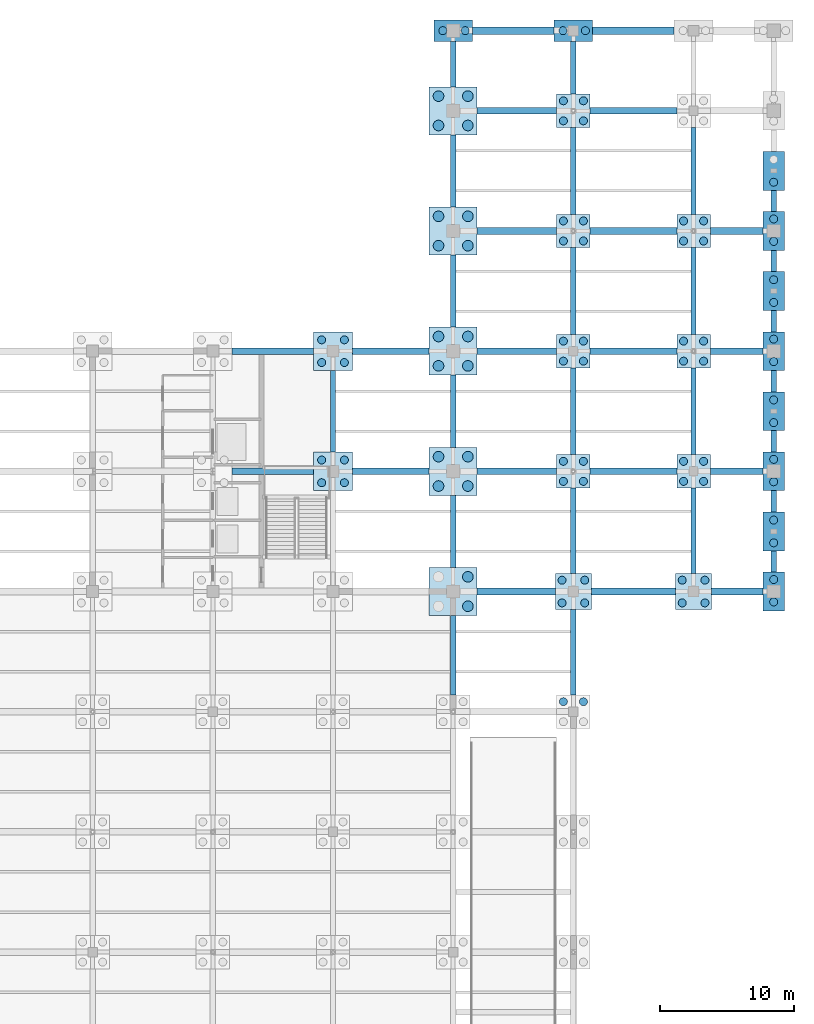
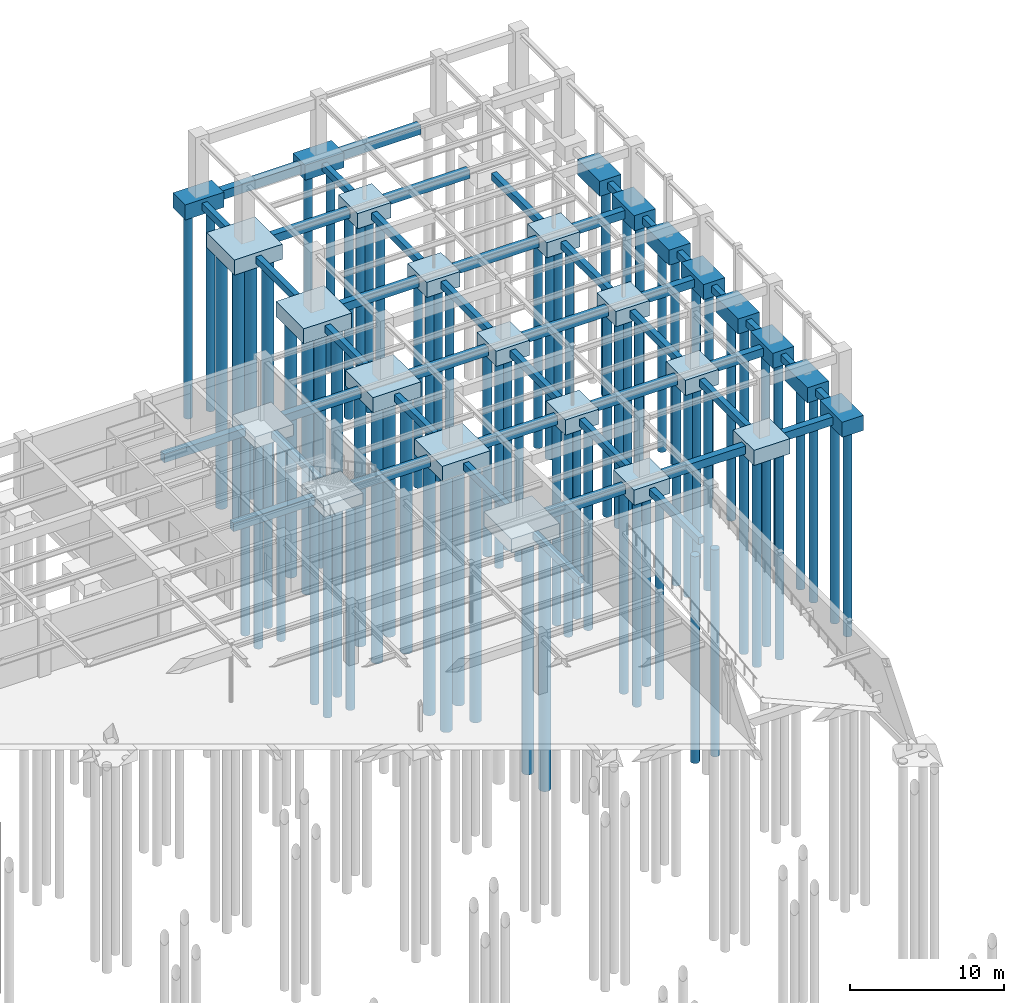
# One storey, part 8 of 49: 83 piles, 70 footings.
"""IFC4 building model written with IfcOpenShell, lengths in metres."""

from ifc_helpers import new_model, si_unit, direction, frame, origin, origin_2d, place, context, subcontext, project, spatial, rectangle, circle, extrude, material, material_profile, profile_set, type_object, element, save


model = new_model("IFC4")

# Units and contexts
model_context = context("Model", 3, precision=1e-05, world=origin(), true_north=direction((0.0, 1.0)))
body_context = subcontext(model_context, "Body", "Model", "MODEL_VIEW")
ifc_project = project(units=[si_unit("LENGTHUNIT", "METRE"), si_unit("AREAUNIT", "SQUARE_METRE"), si_unit("VOLUMEUNIT", "CUBIC_METRE"), si_unit("PLANEANGLEUNIT", "RADIAN"), si_unit("MASSUNIT", "GRAM", prefix="KILO")], contexts=[model_context])

# Site, building, storey
site_placement = place(None, origin())
site = spatial("IfcSite", under=ifc_project, at=site_placement, CompositionType="ELEMENT")
building_placement = place(site_placement, origin())
building = spatial("IfcBuilding", under=site, at=building_placement, Name="Lykobir Media Centre", CompositionType="ELEMENT")
storey_placement = place(building_placement, frame((0.0, 0.0, -4.800048828125)))
storey = spatial("IfcBuildingStorey", under=building, at=storey_placement, Name="B1", CompositionType="ELEMENT", Elevation=-4.800048828125)

# Piles
ifc_material_1 = material(Name="Concrete C30/37", Category="concrete")
ifc_material_profile_1 = material_profile(ifc_material_1, circle(Radius=0.300048828125, at=origin_2d()), Name="BORED PILE D600")
ifc_profile_set_1 = profile_set([ifc_material_profile_1], Name="Concrete C30/37")
pile_type_1 = type_object("IfcPileType", Name="BP-600", PredefinedType="BORED", material=ifc_profile_set_1)
for number, where, z_axis, x_axis, name in (
    (1, (134.14990234375, 80.14990234375, -1.099853515625), (0.0, 0.0, -1.0), (1.0, 0.0, 0.0), "Bored pile PILE-1342-0802-1"),
    (2, (135.85009765625, 80.14990234375, -1.099853515625), (0.0, 0.0, -1.0), (1.0, 0.0, 0.0), "Bored pile PILE-1358-0802-2"),
    (3, (134.14990234375, 81.85009765625, -1.099853515625), (0.0, 0.0, -1.0), (1.0, 0.0, 0.0), "Bored pile PILE-1342-0818-3"),
    (4, (135.85009765625, 81.85009765625, -1.099853515625), (0.0, 0.0, -1.0), (1.0, 0.0, 0.0), "Bored pile PILE-1358-0818-4"),
    (5, (134.14990234375, 89.14990234375, -1.099853515625), (0.0, 0.0, -1.0), (1.0, 0.0, 0.0), "Bored pile PILE-1342-0892-1"),
    (6, (135.85009765625, 89.14990234375, -1.099853515625), (0.0, 0.0, -1.0), (1.0, 0.0, 0.0), "Bored pile PILE-1358-0892-2"),
    (7, (134.14990234375, 90.85009765625, -1.099853515625), (0.0, 0.0, -1.0), (1.0, 0.0, 0.0), "Bored pile PILE-1342-0908-3"),
    (8, (135.85009765625, 90.85009765625, -1.099853515625), (0.0, 0.0, -1.0), (1.0, 0.0, 0.0), "Bored pile PILE-1358-0908-4"),
    (9, (143.219970703125, 114.0, -1.099853515625), (0.0, 0.0, -1.0), (1.0, 0.0, 0.0), "Bored pile PILE-1432-1140-1"),
    (10, (144.89990234375, 114.0, -1.099853515625), (0.0, 0.0, -1.0), (1.0, 0.0, 0.0), "Bored pile PILE-1449-1140-2"),
    (11, (152.25, 63.75, -1.099853515625), (0.0, 0.0, -1.0), (1.0, 0.0, 0.0), "Bored pile PILE-1522-0638-3"),
    (12, (153.75, 63.75, -1.099853515625), (0.0, 0.0, -1.0), (1.0, 0.0, 0.0), "Bored pile PILE-1538-0638-4"),
    (13, (152.14990234375, 71.14990234375, -1.099853515625), (0.0, 0.0, -1.0), (1.0, 0.0, 0.0), "Bored pile PILE-1522-0712-1"),
    (14, (153.85009765625, 71.14990234375, -1.099853515625), (0.0, 0.0, -1.0), (1.0, 0.0, 0.0), "Bored pile PILE-1538-0712-2"),
    (15, (152.14990234375, 72.85009765625, -1.099853515625), (0.0, 0.0, -1.0), (1.0, 0.0, 0.0), "Bored pile PILE-1522-0728-3"),
    (16, (153.85009765625, 72.85009765625, -1.099853515625), (0.0, 0.0, -1.0), (1.0, 0.0, 0.0), "Bored pile PILE-1538-0728-4"),
    (17, (152.25, 80.25, -1.099853515625), (0.0, 0.0, -1.0), (1.0, 0.0, 0.0), "Bored pile PILE-1522-0802-1"),
    (18, (153.75, 80.25, -1.099853515625), (0.0, 0.0, -1.0), (1.0, 0.0, 0.0), "Bored pile PILE-1538-0802-2"),
    (19, (152.25, 81.75, -1.099853515625), (0.0, 0.0, -1.0), (1.0, 0.0, 0.0), "Bored pile PILE-1522-0818-3"),
    (20, (153.75, 81.75, -1.099853515625), (0.0, 0.0, -1.0), (1.0, 0.0, 0.0), "Bored pile PILE-1538-0818-4"),
    (21, (152.25, 89.25, -1.099853515625), (0.0, 0.0, -1.0), (1.0, 0.0, 0.0), "Bored pile PILE-1522-0892-1"),
    (22, (153.75, 89.25, -1.099853515625), (0.0, 0.0, -1.0), (1.0, 0.0, 0.0), "Bored pile PILE-1538-0892-2"),
    (23, (152.25, 90.75, -1.099853515625), (0.0, 0.0, -1.0), (1.0, 0.0, 0.0), "Bored pile PILE-1522-0908-3"),
    (24, (153.75, 90.75, -1.099853515625), (0.0, 0.0, -1.0), (1.0, 0.0, 0.0), "Bored pile PILE-1538-0908-4"),
    (25, (152.25, 98.25, -1.099853515625), (0.0, 0.0, -1.0), (1.0, 0.0, 0.0), "Bored pile PILE-1522-0982-1"),
    (26, (153.75, 98.25, -1.099853515625), (0.0, 0.0, -1.0), (1.0, 0.0, 0.0), "Bored pile PILE-1538-0982-2"),
    (27, (152.25, 99.75, -1.099853515625), (0.0, 0.0, -1.0), (1.0, 0.0, 0.0), "Bored pile PILE-1522-0998-3"),
    (28, (153.75, 99.75, -1.099853515625), (0.0, 0.0, -1.0), (1.0, 0.0, 0.0), "Bored pile PILE-1538-0998-4"),
    (29, (152.25, 107.25, -1.099853515625), (0.0, 0.0, -1.0), (1.0, 0.0, 0.0), "Bored pile PILE-1522-1072-1"),
    (30, (153.75, 107.25, -1.099853515625), (0.0, 0.0, -1.0), (1.0, 0.0, 0.0), "Bored pile PILE-1538-1072-2"),
    (31, (152.25, 108.75, -1.099853515625), (0.0, 0.0, -1.0), (1.0, 0.0, 0.0), "Bored pile PILE-1522-1088-3"),
    (32, (153.75, 108.75, -1.099853515625), (0.0, 0.0, -1.0), (1.0, 0.0, 0.0), "Bored pile PILE-1538-1088-4"),
    (33, (152.219970703125, 114.0, -1.099853515625), (0.0, 0.0, -1.0), (1.0, 0.0, 0.0), "Bored pile PILE-1522-1140-1"),
    (34, (153.89990234375, 114.0, -1.099853515625), (0.0, 0.0, -1.0), (1.0, 0.0, 0.0), "Bored pile PILE-1539-1140-2"),
    (35, (161.14990234375, 71.14990234375, -1.099853515625), (0.0, 0.0, -1.0), (1.0, 0.0, 0.0), "Bored pile PILE-1612-0712-1"),
    (36, (162.85009765625, 71.14990234375, -1.099853515625), (0.0, 0.0, -1.0), (1.0, 0.0, 0.0), "Bored pile PILE-1628-0712-2"),
    (37, (161.14990234375, 72.85009765625, -1.099853515625), (0.0, 0.0, -1.0), (1.0, 0.0, 0.0), "Bored pile PILE-1612-0728-3"),
    (38, (162.85009765625, 72.85009765625, -1.099853515625), (0.0, 0.0, -1.0), (1.0, 0.0, 0.0), "Bored pile PILE-1628-0728-4"),
    (39, (161.25, 80.25, -1.099853515625), (0.0, 0.0, -1.0), (1.0, 0.0, 0.0), "Bored pile PILE-1612-0802-1"),
    (40, (162.75, 80.25, -1.099853515625), (0.0, 0.0, -1.0), (1.0, 0.0, 0.0), "Bored pile PILE-1628-0802-2"),
    (41, (161.25, 81.75, -1.099853515625), (0.0, 0.0, -1.0), (1.0, 0.0, 0.0), "Bored pile PILE-1612-0818-3"),
    (42, (162.75, 81.75, -1.099853515625), (0.0, 0.0, -1.0), (1.0, 0.0, 0.0), "Bored pile PILE-1628-0818-4"),
    (43, (161.25, 89.25, -1.099853515625), (0.0, 0.0, -1.0), (1.0, 0.0, 0.0), "Bored pile PILE-1612-0892-1"),
    (44, (162.75, 89.25, -1.099853515625), (0.0, 0.0, -1.0), (1.0, 0.0, 0.0), "Bored pile PILE-1628-0892-2"),
    (45, (161.25, 90.75, -1.099853515625), (0.0, 0.0, -1.0), (1.0, 0.0, 0.0), "Bored pile PILE-1612-0908-3"),
    (46, (162.75, 90.75, -1.099853515625), (0.0, 0.0, -1.0), (1.0, 0.0, 0.0), "Bored pile PILE-1628-0908-4"),
    (47, (161.25, 98.25, -1.099853515625), (0.0, 0.0, -1.0), (1.0, 0.0, 0.0), "Bored pile PILE-1612-0982-1"),
    (48, (162.75, 98.25, -1.099853515625), (0.0, 0.0, -1.0), (1.0, 0.0, 0.0), "Bored pile PILE-1628-0982-2"),
    (49, (161.25, 99.75, -1.099853515625), (0.0, 0.0, -1.0), (1.0, 0.0, 0.0), "Bored pile PILE-1612-0998-3"),
    (50, (162.75, 99.75, -1.099853515625), (0.0, 0.0, -1.0), (1.0, 0.0, 0.0), "Bored pile PILE-1628-0998-4"),
    (51, (168.0, 71.219970703125, -1.099853515625), (0.0, 0.0, -1.0), (1.0, 0.0, 0.0), "Bored pile PILE-1680-0712-1"),
    (52, (168.0, 72.89990234375, -1.099853515625), (0.0, 0.0, -1.0), (1.0, 0.0, 0.0), "Bored pile PILE-1680-0729-2"),
    (53, (168.0, 80.219970703125, -1.099853515625), (0.0, 0.0, -1.0), (1.0, 0.0, 0.0), "Bored pile PILE-1680-0802-1"),
    (54, (168.0, 81.89990234375, -1.099853515625), (0.0, 0.0, -1.0), (1.0, 0.0, 0.0), "Bored pile PILE-1680-0819-2"),
    (55, (168.0, 89.219970703125, -1.099853515625), (0.0, 0.0, -1.0), (1.0, 0.0, 0.0), "Bored pile PILE-1680-0892-1"),
    (56, (168.0, 90.89990234375, -1.099853515625), (0.0, 0.0, -1.0), (1.0, 0.0, 0.0), "Bored pile PILE-1680-0909-2"),
    (57, (168.0, 98.219970703125, -1.099853515625), (0.0, 0.0, -1.0), (1.0, 0.0, 0.0), "Bored pile PILE-1680-0982-1"),
    (58, (168.0, 99.89990234375, -1.099853515625), (0.0, 0.0, -1.0), (1.0, 0.0, 0.0), "Bored pile PILE-1680-0999-2"),
    (59, (168.0, 75.64990234375, -1.099853515625), (0.0, 0.0, -1.0), (1.0, 0.0, 0.0), "Colonnade bored pile PILE-RVK-1680-0756-1"),
    (60, (168.0, 77.35009765625, -1.099853515625), (0.0, 0.0, -1.0), (1.0, 0.0, 0.0), "Colonnade bored pile PILE-RVK-1680-0774-2"),
    (61, (168.0, 84.64990234375, -1.099853515625), (0.0, 0.0, -1.0), (1.0, 0.0, 0.0), "Colonnade bored pile PILE-RVK-1680-0846-1"),
    (62, (168.0, 86.35009765625, -1.099853515625), (0.0, 0.0, -1.0), (1.0, 0.0, 0.0), "Colonnade bored pile PILE-RVK-1680-0864-2"),
    (63, (168.0, 93.64990234375, -1.099853515625), (0.0, 0.0, -1.0), (1.0, 0.0, 0.0), "Colonnade bored pile PILE-RVK-1680-0936-1"),
    (64, (168.0, 95.35009765625, -1.099853515625), (0.0, 0.0, -1.0), (1.0, 0.0, 0.0), "Colonnade bored pile PILE-RVK-1680-0954-2"),
    (65, (168.0, 102.64990234375, -1.099853515625), (0.0, 0.0, -1.0), (1.0, 0.0, 0.0), "Colonnade bored pile PILE-RVK-1680-1026-1"),
):
    element("IfcPile", number, at=place(storey_placement, frame(where, z_axis=z_axis, x_axis=x_axis)), inside=storey, type_object=pile_type_1, Name=name, PredefinedType="BORED", context=body_context, shape_type="SweptSolid", body=[
        extrude(circle(Radius=0.300048828125, at=origin_2d()), origin(), (0.0, 0.0, 1.0), 16.39990234375),
    ])
ifc_material_profile_2 = material_profile(ifc_material_1, circle(Radius=0.39990234375, at=origin_2d()), Name="BORED PILE D800")
ifc_profile_set_2 = profile_set([ifc_material_profile_2], Name="Concrete C30/37")
pile_type_2 = type_object("IfcPileType", Name="BP-800", PredefinedType="BORED", material=ifc_profile_set_2)
for number, where, z_axis, x_axis, name in (
    (66, (145.10009765625, 70.89990234375, -1.099853515625), (0.0, 0.0, -1.0), (1.0, 0.0, 0.0), "Bored pile PILE-1451-0709-2"),
    (67, (145.10009765625, 73.10009765625, -1.099853515625), (0.0, 0.0, -1.0), (1.0, 0.0, 0.0), "Bored pile PILE-1451-0731-4"),
    (68, (142.89990234375, 79.89990234375, -1.099853515625), (0.0, 0.0, -1.0), (1.0, 0.0, 0.0), "Bored pile PILE-1429-0799-1"),
    (69, (145.10009765625, 79.89990234375, -1.099853515625), (0.0, 0.0, -1.0), (1.0, 0.0, 0.0), "Bored pile PILE-1451-0799-2"),
    (70, (142.89990234375, 82.10009765625, -1.099853515625), (0.0, 0.0, -1.0), (1.0, 0.0, 0.0), "Bored pile PILE-1429-0821-3"),
    (71, (145.10009765625, 82.10009765625, -1.099853515625), (0.0, 0.0, -1.0), (1.0, 0.0, 0.0), "Bored pile PILE-1451-0821-4"),
    (72, (142.89990234375, 88.89990234375, -1.099853515625), (0.0, 0.0, -1.0), (1.0, 0.0, 0.0), "Bored pile PILE-1429-0889-1"),
    (73, (145.10009765625, 88.89990234375, -1.099853515625), (0.0, 0.0, -1.0), (1.0, 0.0, 0.0), "Bored pile PILE-1451-0889-2"),
    (74, (142.89990234375, 91.10009765625, -1.099853515625), (0.0, 0.0, -1.0), (1.0, 0.0, 0.0), "Bored pile PILE-1429-0911-3"),
    (75, (145.10009765625, 91.10009765625, -1.099853515625), (0.0, 0.0, -1.0), (1.0, 0.0, 0.0), "Bored pile PILE-1451-0911-4"),
    (76, (142.89990234375, 97.89990234375, -1.099853515625), (0.0, 0.0, -1.0), (1.0, 0.0, 0.0), "Bored pile PILE-1429-0979-1"),
    (77, (145.10009765625, 97.89990234375, -1.099853515625), (0.0, 0.0, -1.0), (1.0, 0.0, 0.0), "Bored pile PILE-1451-0979-2"),
    (78, (142.89990234375, 100.10009765625, -1.099853515625), (0.0, 0.0, -1.0), (1.0, 0.0, 0.0), "Bored pile PILE-1429-1001-3"),
    (79, (145.10009765625, 100.10009765625, -1.099853515625), (0.0, 0.0, -1.0), (1.0, 0.0, 0.0), "Bored pile PILE-1451-1001-4"),
    (80, (142.89990234375, 106.89990234375, -1.099853515625), (0.0, 0.0, -1.0), (1.0, 0.0, 0.0), "Bored pile PILE-1429-1069-1"),
    (81, (145.10009765625, 106.89990234375, -1.099853515625), (0.0, 0.0, -1.0), (1.0, 0.0, 0.0), "Bored pile PILE-1451-1069-2"),
    (82, (142.89990234375, 109.10009765625, -1.099853515625), (0.0, 0.0, -1.0), (1.0, 0.0, 0.0), "Bored pile PILE-1429-1091-3"),
    (83, (145.10009765625, 109.10009765625, -1.099853515625), (0.0, 0.0, -1.0), (1.0, 0.0, 0.0), "Bored pile PILE-1451-1091-4"),
):
    element("IfcPile", number, at=place(storey_placement, frame(where, z_axis=z_axis, x_axis=x_axis)), inside=storey, type_object=pile_type_2, Name=name, PredefinedType="BORED", context=body_context, shape_type="SweptSolid", body=[
        extrude(circle(Radius=0.39990234375, at=origin_2d()), origin(), (0.0, 0.0, 1.0), 20.39990234375),
    ])

# Footings
ifc_material_2 = material(Name="Concrete C35/45", Category="concrete")
footing_type_1 = type_object("IfcFootingType", Name="GB-2", PredefinedType="FOOTING_BEAM", material=ifc_material_2)
for number, where, z_axis, x_axis, name in (
    (84, (148.5, 114.0, -1.0), (0.0, 0.0, 1.0), (1.0, 0.0, 0.0), "Ground tie beam FTG-GB-X-186"),
    (85, (157.5, 114.0, -1.0), (0.0, 0.0, 1.0), (1.0, 0.0, 0.0), "Ground tie beam FTG-GB-X-187"),
):
    element("IfcFooting", number, at=place(storey_placement, frame(where, z_axis=z_axis, x_axis=x_axis)), inside=storey, type_object=footing_type_1, Name=name, PredefinedType="FOOTING_BEAM", context=body_context, shape_type="SweptSolid", body=[
        extrude(rectangle(XDim=6.10009765625, YDim=0.550048828125, at=origin_2d()), origin(), (0.0, 0.0, 1.0), 0.699951171875),
    ])
footing_type_2 = type_object("IfcFootingType", Name="GB-3", PredefinedType="FOOTING_BEAM", material=ifc_material_2)
footing_1_placement = place(storey_placement, frame((148.72509765625, 72.0, -0.949951171875), z_axis=(0.0, 0.0, 1.0), x_axis=(1.0, 0.0, 0.0)))
element("IfcFooting", 86, at=footing_1_placement, inside=storey, type_object=footing_type_2, Name="Ground tie beam FTG-GB-X-130", PredefinedType="FOOTING_BEAM", context=body_context, shape_type="SweptSolid", body=[
    extrude(rectangle(XDim=5.85009765625, YDim=0.5, at=origin_2d()), origin(), (0.0, 0.0, 1.0), 0.64990234375),
])
footing_2_placement = place(storey_placement, frame((157.5, 72.0, -0.949951171875), z_axis=(0.0, 0.0, 1.0), x_axis=(1.0, 0.0, 0.0)))
element("IfcFooting", 87, at=footing_2_placement, inside=storey, type_object=footing_type_2, Name="Ground tie beam FTG-GB-X-131", PredefinedType="FOOTING_BEAM", context=body_context, shape_type="SweptSolid", body=[
    extrude(rectangle(XDim=6.300048828125, YDim=0.5, at=origin_2d()), origin(), (0.0, 0.0, 1.0), 0.64990234375),
])
footing_3_placement = place(storey_placement, frame((165.27490234375, 72.0, -0.949951171875), z_axis=(0.0, 0.0, 1.0), x_axis=(1.0, 0.0, 0.0)))
element("IfcFooting", 88, at=footing_3_placement, inside=storey, type_object=footing_type_2, Name="Ground tie beam FTG-GB-X-132", PredefinedType="FOOTING_BEAM", context=body_context, shape_type="SweptSolid", body=[
    extrude(rectangle(XDim=3.85009765625, YDim=0.5, at=origin_2d()), origin(), (0.0, 0.0, 1.0), 0.64990234375),
])
footing_4_placement = place(storey_placement, frame((130.5, 81.0, -0.949951171875), z_axis=(0.0, 0.0, 1.0), x_axis=(1.0, 0.0, 0.0)))
element("IfcFooting", 89, at=footing_4_placement, inside=storey, type_object=footing_type_2, Name="Ground tie beam FTG-GB-X-143", PredefinedType="FOOTING_BEAM", context=body_context, shape_type="SweptSolid", body=[
    extrude(rectangle(XDim=6.10009765625, YDim=0.5, at=origin_2d()), origin(), (0.0, 0.0, 1.0), 0.64990234375),
])
footing_5_placement = place(storey_placement, frame((139.324951171875, 81.0, -0.949951171875), z_axis=(0.0, 0.0, 1.0), x_axis=(1.0, 0.0, 0.0)))
element("IfcFooting", 90, at=footing_5_placement, inside=storey, type_object=footing_type_2, Name="Ground tie beam FTG-GB-X-144", PredefinedType="FOOTING_BEAM", context=body_context, shape_type="SweptSolid", body=[
    extrude(rectangle(XDim=5.75, YDim=0.5, at=origin_2d()), origin(), (0.0, 0.0, 1.0), 0.64990234375),
])
footing_6_placement = place(storey_placement, frame((148.77490234375, 81.0, -0.949951171875), z_axis=(0.0, 0.0, 1.0), x_axis=(1.0, 0.0, 0.0)))
element("IfcFooting", 91, at=footing_6_placement, inside=storey, type_object=footing_type_2, Name="Ground tie beam FTG-GB-X-145", PredefinedType="FOOTING_BEAM", context=body_context, shape_type="SweptSolid", body=[
    extrude(rectangle(XDim=5.949951171875, YDim=0.5, at=origin_2d()), origin(), (0.0, 0.0, 1.0), 0.64990234375),
])
footing_7_placement = place(storey_placement, frame((157.5, 81.0, -0.949951171875), z_axis=(0.0, 0.0, 1.0), x_axis=(1.0, 0.0, 0.0)))
element("IfcFooting", 92, at=footing_7_placement, inside=storey, type_object=footing_type_2, Name="Ground tie beam FTG-GB-X-146", PredefinedType="FOOTING_BEAM", context=body_context, shape_type="SweptSolid", body=[
    extrude(rectangle(XDim=6.5, YDim=0.5, at=origin_2d()), origin(), (0.0, 0.0, 1.0), 0.64990234375),
])
footing_8_placement = place(storey_placement, frame((165.22509765625, 81.0, -0.949951171875), z_axis=(0.0, 0.0, 1.0), x_axis=(1.0, 0.0, 0.0)))
element("IfcFooting", 93, at=footing_8_placement, inside=storey, type_object=footing_type_2, Name="Ground tie beam FTG-GB-X-147", PredefinedType="FOOTING_BEAM", context=body_context, shape_type="SweptSolid", body=[
    extrude(rectangle(XDim=3.949951171875, YDim=0.5, at=origin_2d()), origin(), (0.0, 0.0, 1.0), 0.64990234375),
])
footing_9_placement = place(storey_placement, frame((130.5, 90.0, -0.949951171875), z_axis=(0.0, 0.0, 1.0), x_axis=(1.0, 0.0, 0.0)))
element("IfcFooting", 94, at=footing_9_placement, inside=storey, type_object=footing_type_2, Name="Ground tie beam FTG-GB-X-158", PredefinedType="FOOTING_BEAM", context=body_context, shape_type="SweptSolid", body=[
    extrude(rectangle(XDim=6.10009765625, YDim=0.5, at=origin_2d()), origin(), (0.0, 0.0, 1.0), 0.64990234375),
])
footing_10_placement = place(storey_placement, frame((139.324951171875, 90.0, -0.949951171875), z_axis=(0.0, 0.0, 1.0), x_axis=(1.0, 0.0, 0.0)))
element("IfcFooting", 95, at=footing_10_placement, inside=storey, type_object=footing_type_2, Name="Ground tie beam FTG-GB-X-159", PredefinedType="FOOTING_BEAM", context=body_context, shape_type="SweptSolid", body=[
    extrude(rectangle(XDim=5.75, YDim=0.5, at=origin_2d()), origin(), (0.0, 0.0, 1.0), 0.64990234375),
])
footing_11_placement = place(storey_placement, frame((148.77490234375, 90.0, -0.949951171875), z_axis=(0.0, 0.0, 1.0), x_axis=(1.0, 0.0, 0.0)))
element("IfcFooting", 96, at=footing_11_placement, inside=storey, type_object=footing_type_2, Name="Ground tie beam FTG-GB-X-160", PredefinedType="FOOTING_BEAM", context=body_context, shape_type="SweptSolid", body=[
    extrude(rectangle(XDim=5.949951171875, YDim=0.5, at=origin_2d()), origin(), (0.0, 0.0, 1.0), 0.64990234375),
])
footing_12_placement = place(storey_placement, frame((157.5, 90.0, -0.949951171875), z_axis=(0.0, 0.0, 1.0), x_axis=(1.0, 0.0, 0.0)))
element("IfcFooting", 97, at=footing_12_placement, inside=storey, type_object=footing_type_2, Name="Ground tie beam FTG-GB-X-161", PredefinedType="FOOTING_BEAM", context=body_context, shape_type="SweptSolid", body=[
    extrude(rectangle(XDim=6.5, YDim=0.5, at=origin_2d()), origin(), (0.0, 0.0, 1.0), 0.64990234375),
])
footing_13_placement = place(storey_placement, frame((165.22509765625, 90.0, -0.949951171875), z_axis=(0.0, 0.0, 1.0), x_axis=(1.0, 0.0, 0.0)))
element("IfcFooting", 98, at=footing_13_placement, inside=storey, type_object=footing_type_2, Name="Ground tie beam FTG-GB-X-162", PredefinedType="FOOTING_BEAM", context=body_context, shape_type="SweptSolid", body=[
    extrude(rectangle(XDim=3.949951171875, YDim=0.5, at=origin_2d()), origin(), (0.0, 0.0, 1.0), 0.64990234375),
])
footing_14_placement = place(storey_placement, frame((148.77490234375, 99.0, -0.949951171875), z_axis=(0.0, 0.0, 1.0), x_axis=(1.0, 0.0, 0.0)))
element("IfcFooting", 99, at=footing_14_placement, inside=storey, type_object=footing_type_2, Name="Ground tie beam FTG-GB-X-169", PredefinedType="FOOTING_BEAM", context=body_context, shape_type="SweptSolid", body=[
    extrude(rectangle(XDim=5.949951171875, YDim=0.5, at=origin_2d()), origin(), (0.0, 0.0, 1.0), 0.64990234375),
])
footing_15_placement = place(storey_placement, frame((157.5, 99.0, -0.949951171875), z_axis=(0.0, 0.0, 1.0), x_axis=(1.0, 0.0, 0.0)))
element("IfcFooting", 100, at=footing_15_placement, inside=storey, type_object=footing_type_2, Name="Ground tie beam FTG-GB-X-170", PredefinedType="FOOTING_BEAM", context=body_context, shape_type="SweptSolid", body=[
    extrude(rectangle(XDim=6.5, YDim=0.5, at=origin_2d()), origin(), (0.0, 0.0, 1.0), 0.64990234375),
])
footing_16_placement = place(storey_placement, frame((165.22509765625, 99.0, -0.949951171875), z_axis=(0.0, 0.0, 1.0), x_axis=(1.0, 0.0, 0.0)))
element("IfcFooting", 101, at=footing_16_placement, inside=storey, type_object=footing_type_2, Name="Ground tie beam FTG-GB-X-171", PredefinedType="FOOTING_BEAM", context=body_context, shape_type="SweptSolid", body=[
    extrude(rectangle(XDim=3.949951171875, YDim=0.5, at=origin_2d()), origin(), (0.0, 0.0, 1.0), 0.64990234375),
])
footing_17_placement = place(storey_placement, frame((148.77490234375, 108.0, -0.949951171875), z_axis=(0.0, 0.0, 1.0), x_axis=(1.0, 0.0, 0.0)))
element("IfcFooting", 102, at=footing_17_placement, inside=storey, type_object=footing_type_2, Name="Ground tie beam FTG-GB-X-178", PredefinedType="FOOTING_BEAM", context=body_context, shape_type="SweptSolid", body=[
    extrude(rectangle(XDim=5.949951171875, YDim=0.5, at=origin_2d()), origin(), (0.0, 0.0, 1.0), 0.64990234375),
])
footing_18_placement = place(storey_placement, frame((157.5, 108.0, -0.949951171875), z_axis=(0.0, 0.0, 1.0), x_axis=(1.0, 0.0, 0.0)))
element("IfcFooting", 103, at=footing_18_placement, inside=storey, type_object=footing_type_2, Name="Ground tie beam FTG-GB-X-179", PredefinedType="FOOTING_BEAM", context=body_context, shape_type="SweptSolid", body=[
    extrude(rectangle(XDim=6.5, YDim=0.5, at=origin_2d()), origin(), (0.0, 0.0, 1.0), 0.64990234375),
])
footing_type_3 = type_object("IfcFootingType", Name="GB-5", PredefinedType="FOOTING_BEAM", material=ifc_material_2)
footing_19_placement = place(storey_placement, frame((135.0, 85.5, -0.85009765625), z_axis=(0.0, 0.0, 1.0), x_axis=(0.0, 1.0, 0.0)))
element("IfcFooting", 104, at=footing_19_placement, inside=storey, type_object=footing_type_3, Name="Ground tie beam FTG-GB-Y-327", PredefinedType="FOOTING_BEAM", context=body_context, shape_type="SweptSolid", body=[
    extrude(rectangle(XDim=6.10009765625, YDim=0.39990234375, at=origin_2d()), origin(), (0.0, 0.0, 1.0), 0.550048828125),
])
footing_20_placement = place(storey_placement, frame((144.0, 67.22509765625, -0.85009765625), z_axis=(0.0, 0.0, 1.0), x_axis=(0.0, 1.0, 0.0)))
element("IfcFooting", 105, at=footing_20_placement, inside=storey, type_object=footing_type_3, Name="Ground tie beam FTG-GB-Y-335", PredefinedType="FOOTING_BEAM", context=body_context, shape_type="SweptSolid", body=[
    extrude(rectangle(XDim=5.949951171875, YDim=0.39990234375, at=origin_2d()), origin(), (0.0, 0.0, 1.0), 0.550048828125),
])
for number, where, z_axis, x_axis, name in (
    (106, (144.0, 76.5, -0.85009765625), (0.0, 0.0, 1.0), (0.0, 1.0, 0.0), "Ground tie beam FTG-GB-Y-336"),
    (107, (144.0, 85.5, -0.85009765625), (0.0, 0.0, 1.0), (0.0, 1.0, 0.0), "Ground tie beam FTG-GB-Y-337"),
    (108, (144.0, 94.5, -0.85009765625), (0.0, 0.0, 1.0), (0.0, 1.0, 0.0), "Ground tie beam FTG-GB-Y-338"),
    (109, (144.0, 103.5, -0.85009765625), (0.0, 0.0, 1.0), (0.0, 1.0, 0.0), "Ground tie beam FTG-GB-Y-339"),
):
    element("IfcFooting", number, at=place(storey_placement, frame(where, z_axis=z_axis, x_axis=x_axis)), inside=storey, type_object=footing_type_3, Name=name, PredefinedType="FOOTING_BEAM", context=body_context, shape_type="SweptSolid", body=[
        extrude(rectangle(XDim=5.39990234375, YDim=0.39990234375, at=origin_2d()), origin(), (0.0, 0.0, 1.0), 0.550048828125),
    ])
footing_21_placement = place(storey_placement, frame((144.0, 111.5, -0.85009765625), z_axis=(0.0, 0.0, 1.0), x_axis=(0.0, 1.0, 0.0)))
element("IfcFooting", 110, at=footing_21_placement, inside=storey, type_object=footing_type_3, Name="Ground tie beam FTG-GB-Y-340", PredefinedType="FOOTING_BEAM", context=body_context, shape_type="SweptSolid", body=[
    extrude(rectangle(XDim=3.39990234375, YDim=0.39990234375, at=origin_2d()), origin(), (0.0, 0.0, 1.0), 0.550048828125),
])
for number, where, z_axis, x_axis, name in (
    (111, (153.0, 67.449951171875, -0.85009765625), (0.0, 0.0, 1.0), (0.0, 1.0, 0.0), "Ground tie beam FTG-GB-Y-346"),
    (112, (153.0, 76.550048828125, -0.85009765625), (0.0, 0.0, 1.0), (0.0, 1.0, 0.0), "Ground tie beam FTG-GB-Y-347"),
):
    element("IfcFooting", number, at=place(storey_placement, frame(where, z_axis=z_axis, x_axis=x_axis)), inside=storey, type_object=footing_type_3, Name=name, PredefinedType="FOOTING_BEAM", context=body_context, shape_type="SweptSolid", body=[
        extrude(rectangle(XDim=6.39990234375, YDim=0.39990234375, at=origin_2d()), origin(), (0.0, 0.0, 1.0), 0.550048828125),
    ])
for number, where, z_axis, x_axis, name in (
    (113, (153.0, 85.5, -0.85009765625), (0.0, 0.0, 1.0), (0.0, 1.0, 0.0), "Ground tie beam FTG-GB-Y-348"),
    (114, (153.0, 94.5, -0.85009765625), (0.0, 0.0, 1.0), (0.0, 1.0, 0.0), "Ground tie beam FTG-GB-Y-349"),
    (115, (153.0, 103.5, -0.85009765625), (0.0, 0.0, 1.0), (0.0, 1.0, 0.0), "Ground tie beam FTG-GB-Y-350"),
):
    element("IfcFooting", number, at=place(storey_placement, frame(where, z_axis=z_axis, x_axis=x_axis)), inside=storey, type_object=footing_type_3, Name=name, PredefinedType="FOOTING_BEAM", context=body_context, shape_type="SweptSolid", body=[
        extrude(rectangle(XDim=6.5, YDim=0.39990234375, at=origin_2d()), origin(), (0.0, 0.0, 1.0), 0.550048828125),
    ])
footing_22_placement = place(storey_placement, frame((153.0, 111.22509765625, -0.85009765625), z_axis=(0.0, 0.0, 1.0), x_axis=(0.0, 1.0, 0.0)))
element("IfcFooting", 116, at=footing_22_placement, inside=storey, type_object=footing_type_3, Name="Ground tie beam FTG-GB-Y-351", PredefinedType="FOOTING_BEAM", context=body_context, shape_type="SweptSolid", body=[
    extrude(rectangle(XDim=3.949951171875, YDim=0.39990234375, at=origin_2d()), origin(), (0.0, 0.0, 1.0), 0.550048828125),
])
footing_23_placement = place(storey_placement, frame((162.0, 76.550048828125, -0.85009765625), z_axis=(0.0, 0.0, 1.0), x_axis=(0.0, 1.0, 0.0)))
element("IfcFooting", 117, at=footing_23_placement, inside=storey, type_object=footing_type_3, Name="Ground tie beam FTG-GB-Y-352", PredefinedType="FOOTING_BEAM", context=body_context, shape_type="SweptSolid", body=[
    extrude(rectangle(XDim=6.39990234375, YDim=0.39990234375, at=origin_2d()), origin(), (0.0, 0.0, 1.0), 0.550048828125),
])
for number, where, z_axis, x_axis, name in (
    (118, (162.0, 85.5, -0.85009765625), (0.0, 0.0, 1.0), (0.0, 1.0, 0.0), "Ground tie beam FTG-GB-Y-353"),
    (119, (162.0, 94.5, -0.85009765625), (0.0, 0.0, 1.0), (0.0, 1.0, 0.0), "Ground tie beam FTG-GB-Y-354"),
    (120, (162.0, 103.5, -0.85009765625), (0.0, 0.0, 1.0), (0.0, 1.0, 0.0), "Ground tie beam FTG-GB-Y-355"),
):
    element("IfcFooting", number, at=place(storey_placement, frame(where, z_axis=z_axis, x_axis=x_axis)), inside=storey, type_object=footing_type_3, Name=name, PredefinedType="FOOTING_BEAM", context=body_context, shape_type="SweptSolid", body=[
        extrude(rectangle(XDim=6.5, YDim=0.39990234375, at=origin_2d()), origin(), (0.0, 0.0, 1.0), 0.550048828125),
    ])
for number, where, z_axis, x_axis, name in (
    (121, (168.0, 74.25, -0.85009765625), (0.0, 0.0, 1.0), (0.0, 1.0, 0.0), "Ground tie beam FTG-GB-Y-357"),
    (122, (168.0, 78.75, -0.85009765625), (0.0, 0.0, 1.0), (0.0, 1.0, 0.0), "Ground tie beam FTG-GB-Y-358"),
    (123, (168.0, 83.25, -0.85009765625), (0.0, 0.0, 1.0), (0.0, 1.0, 0.0), "Ground tie beam FTG-GB-Y-359"),
    (124, (168.0, 87.75, -0.85009765625), (0.0, 0.0, 1.0), (0.0, 1.0, 0.0), "Ground tie beam FTG-GB-Y-360"),
    (125, (168.0, 92.25, -0.85009765625), (0.0, 0.0, 1.0), (0.0, 1.0, 0.0), "Ground tie beam FTG-GB-Y-361"),
    (126, (168.0, 96.75, -0.85009765625), (0.0, 0.0, 1.0), (0.0, 1.0, 0.0), "Ground tie beam FTG-GB-Y-362"),
    (127, (168.0, 101.25, -0.85009765625), (0.0, 0.0, 1.0), (0.0, 1.0, 0.0), "Ground tie beam FTG-GB-Y-363"),
):
    element("IfcFooting", number, at=place(storey_placement, frame(where, z_axis=z_axis, x_axis=x_axis)), inside=storey, type_object=footing_type_3, Name=name, PredefinedType="FOOTING_BEAM", context=body_context, shape_type="SweptSolid", body=[
        extrude(rectangle(XDim=1.60009765625, YDim=0.39990234375, at=origin_2d()), origin(), (0.0, 0.0, 1.0), 0.550048828125),
    ])
footing_type_4 = type_object("IfcFootingType", Name="PC-1", PredefinedType="PILE_CAP", material=ifc_material_2)
footing_24_placement = place(storey_placement, frame((144.0, 72.0, -1.39990234375), z_axis=(0.0, 0.0, 1.0), x_axis=(1.0, 0.0, 0.0)))
element("IfcFooting", 128, at=footing_24_placement, inside=storey, type_object=footing_type_4, Name="Pile cap FTG-PC-1440-0720", PredefinedType="PILE_CAP", context=body_context, shape_type="SweptSolid", body=[
    extrude(rectangle(XDim=3.60009765625, YDim=3.60009765625, at=origin_2d()), origin(), (0.0, 0.0, 1.0), 1.10009765625),
])
for number, where, z_axis, x_axis, name in (
    (129, (144.0, 81.0, -1.19970703125), (0.0, 0.0, 1.0), (1.0, 0.0, 0.0), "Pile cap FTG-PC-1440-0810"),
    (130, (144.0, 90.0, -1.19970703125), (0.0, 0.0, 1.0), (1.0, 0.0, 0.0), "Pile cap FTG-PC-1440-0900"),
    (131, (144.0, 99.0, -1.19970703125), (0.0, 0.0, 1.0), (1.0, 0.0, 0.0), "Pile cap FTG-PC-1440-0990"),
    (132, (144.0, 108.0, -1.19970703125), (0.0, 0.0, 1.0), (1.0, 0.0, 0.0), "Pile cap FTG-PC-1440-1080"),
):
    element("IfcFooting", number, at=place(storey_placement, frame(where, z_axis=z_axis, x_axis=x_axis)), inside=storey, type_object=footing_type_4, Name=name, PredefinedType="PILE_CAP", context=body_context, shape_type="SweptSolid", body=[
        extrude(rectangle(XDim=3.60009765625, YDim=3.60009765625, at=origin_2d()), origin(), (0.0, 0.0, 1.0), 1.199951171875),
    ])
footing_type_5 = type_object("IfcFootingType", Name="PC-4", PredefinedType="PILE_CAP", material=ifc_material_2)
for number, where, z_axis, x_axis, name in (
    (133, (135.0, 81.0, -1.199951171875), (0.0, 0.0, 1.0), (1.0, 0.0, 0.0), "Pile cap FTG-PC-1350-0810"),
    (134, (135.0, 90.0, -1.199951171875), (0.0, 0.0, 1.0), (1.0, 0.0, 0.0), "Pile cap FTG-PC-1350-0900"),
):
    element("IfcFooting", number, at=place(storey_placement, frame(where, z_axis=z_axis, x_axis=x_axis)), inside=storey, type_object=footing_type_5, Name=name, PredefinedType="PILE_CAP", context=body_context, shape_type="SweptSolid", body=[
        extrude(rectangle(XDim=2.89990234375, YDim=2.89990234375, at=origin_2d()), origin(), (0.0, 0.0, 1.0), 0.89990234375),
    ])
footing_type_6 = type_object("IfcFootingType", Name="PC-5", PredefinedType="PILE_CAP", material=ifc_material_2)
for number, where, z_axis, x_axis, name in (
    (135, (153.0, 72.0, -1.19970703125), (0.0, 0.0, 1.0), (1.0, 0.0, 0.0), "Pile cap FTG-PC-1530-0720"),
    (136, (162.0, 72.0, -1.19970703125), (0.0, 0.0, 1.0), (1.0, 0.0, 0.0), "Pile cap FTG-PC-1620-0720"),
):
    element("IfcFooting", number, at=place(storey_placement, frame(where, z_axis=z_axis, x_axis=x_axis)), inside=storey, type_object=footing_type_6, Name=name, PredefinedType="PILE_CAP", context=body_context, shape_type="SweptSolid", body=[
        extrude(rectangle(XDim=2.699951171875, YDim=2.699951171875, at=origin_2d()), origin(), (0.0, 0.0, 1.0), 1.199951171875),
    ])
footing_type_7 = type_object("IfcFootingType", Name="PC-6", PredefinedType="PILE_CAP", material=ifc_material_2)
for number, where, z_axis, x_axis, name in (
    (137, (153.0, 81.0, -1.19970703125), (0.0, 0.0, 1.0), (1.0, 0.0, 0.0), "Pile cap FTG-PC-1530-0810"),
    (138, (153.0, 90.0, -1.19970703125), (0.0, 0.0, 1.0), (1.0, 0.0, 0.0), "Pile cap FTG-PC-1530-0900"),
    (139, (153.0, 99.0, -1.19970703125), (0.0, 0.0, 1.0), (1.0, 0.0, 0.0), "Pile cap FTG-PC-1530-0990"),
    (140, (153.0, 108.0, -1.19970703125), (0.0, 0.0, 1.0), (1.0, 0.0, 0.0), "Pile cap FTG-PC-1530-1080"),
    (141, (162.0, 81.0, -1.19970703125), (0.0, 0.0, 1.0), (1.0, 0.0, 0.0), "Pile cap FTG-PC-1620-0810"),
    (142, (162.0, 90.0, -1.19970703125), (0.0, 0.0, 1.0), (1.0, 0.0, 0.0), "Pile cap FTG-PC-1620-0900"),
    (143, (162.0, 99.0, -1.19970703125), (0.0, 0.0, 1.0), (1.0, 0.0, 0.0), "Pile cap FTG-PC-1620-0990"),
):
    element("IfcFooting", number, at=place(storey_placement, frame(where, z_axis=z_axis, x_axis=x_axis)), inside=storey, type_object=footing_type_7, Name=name, PredefinedType="PILE_CAP", context=body_context, shape_type="SweptSolid", body=[
        extrude(rectangle(XDim=2.5, YDim=2.5, at=origin_2d()), origin(), (0.0, 0.0, 1.0), 1.199951171875),
    ])
footing_type_8 = type_object("IfcFootingType", Name="PC-7", PredefinedType="PILE_CAP", material=ifc_material_2)
for number, where, z_axis, x_axis, name in (
    (144, (144.0, 114.0, -1.19970703125), (0.0, 0.0, 1.0), (1.0, 0.0, 0.0), "Pile cap FTG-PC-1440-1140"),
    (145, (153.0, 114.0, -1.19970703125), (0.0, 0.0, 1.0), (1.0, 0.0, 0.0), "Pile cap FTG-PC-1530-1140"),
):
    element("IfcFooting", number, at=place(storey_placement, frame(where, z_axis=z_axis, x_axis=x_axis)), inside=storey, type_object=footing_type_8, Name=name, PredefinedType="PILE_CAP", context=body_context, shape_type="SweptSolid", body=[
        extrude(rectangle(XDim=2.89990234375, YDim=1.60009765625, at=origin_2d()), origin(), (0.0, 0.0, 1.0), 1.199951171875),
    ])
footing_type_9 = type_object("IfcFootingType", Name="PC-8", PredefinedType="PILE_CAP", material=ifc_material_2)
for number, where, z_axis, x_axis, name in (
    (146, (168.0, 72.0, -1.19970703125), (0.0, 0.0, 1.0), (1.0, 0.0, 0.0), "Pile cap FTG-PC-1680-0720"),
    (147, (168.0, 81.0, -1.19970703125), (0.0, 0.0, 1.0), (1.0, 0.0, 0.0), "Pile cap FTG-PC-1680-0810"),
    (148, (168.0, 90.0, -1.19970703125), (0.0, 0.0, 1.0), (1.0, 0.0, 0.0), "Pile cap FTG-PC-1680-0900"),
    (149, (168.0, 99.0, -1.19970703125), (0.0, 0.0, 1.0), (1.0, 0.0, 0.0), "Pile cap FTG-PC-1680-0990"),
    (150, (168.0, 76.5, -1.19970703125), (0.0, 0.0, 1.0), (1.0, 0.0, 0.0), "Colonnade pile cap FTG-RVK-1680-0765"),
    (151, (168.0, 85.5, -1.19970703125), (0.0, 0.0, 1.0), (1.0, 0.0, 0.0), "Colonnade pile cap FTG-RVK-1680-0855"),
    (152, (168.0, 94.5, -1.19970703125), (0.0, 0.0, 1.0), (1.0, 0.0, 0.0), "Colonnade pile cap FTG-RVK-1680-0945"),
    (153, (168.0, 103.5, -1.19970703125), (0.0, 0.0, 1.0), (1.0, 0.0, 0.0), "Colonnade pile cap FTG-RVK-1680-1035"),
):
    element("IfcFooting", number, at=place(storey_placement, frame(where, z_axis=z_axis, x_axis=x_axis)), inside=storey, type_object=footing_type_9, Name=name, PredefinedType="PILE_CAP", context=body_context, shape_type="SweptSolid", body=[
        extrude(rectangle(XDim=1.60009765625, YDim=2.89990234375, at=origin_2d()), origin(), (0.0, 0.0, 1.0), 1.199951171875),
    ])

save(model, "model.ifc")
